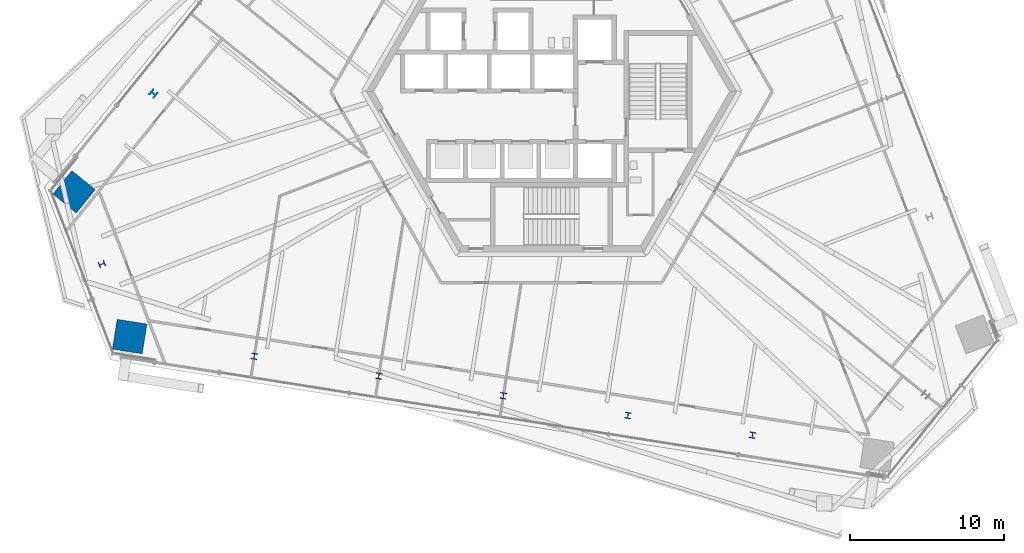
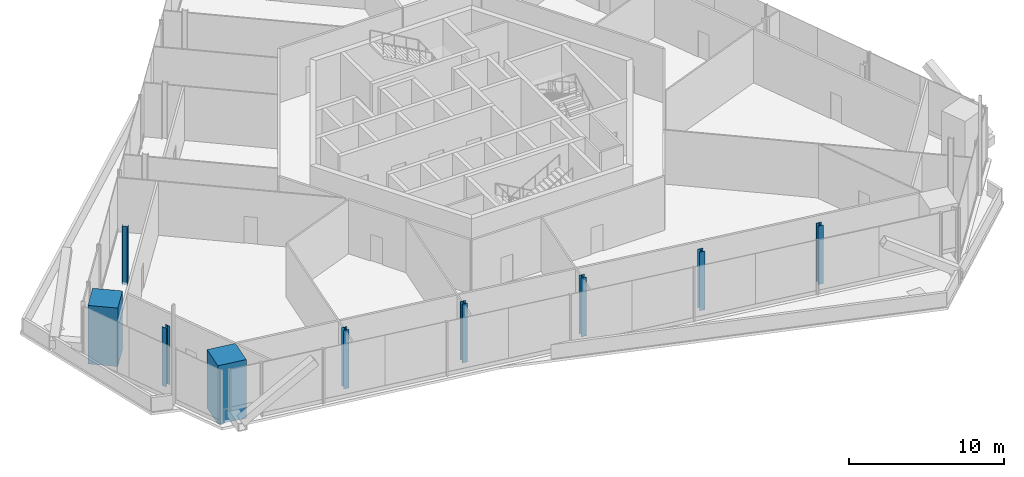
# One storey, part 1 of 22: 9 columns.
"""IFC4 building model written with IfcOpenShell, lengths in metres."""

import ifcopenshell
import ifcopenshell.guid

model = None  # the IFC model being written
_history = None  # IfcOwnerHistory: only IFC2X3 demands one
_inside = {}  # id of a spatial element -> (the spatial element, [elements in it])
_under = {}  # id of a project, library or spatial element -> (it, [spatial elements below it])
_declared = {}  # id of a project -> (the project, [libraries it declares])
_typed = {}  # id of a type object -> (the type object, [elements of that type])
_made_of = {}  # id of a material, layer set ... -> (it, [elements and type objects made of it])


def new_model(schema):
    """Start an empty IFC model of exactly this schema.

    Asked for "IFC4X3", IfcOpenShell would pick the latest addendum, in which some entities
    have other attributes; the version numbers below select the first issue.
    IFC2X3 requires an IfcOwnerHistory on every rooted entity: one is made here for all.
    """
    global model, _history
    if schema == "IFC4X3":
        model = ifcopenshell.file(schema_version=(4, 3, 0, 0))
    else:
        model = ifcopenshell.file(schema=schema)
    _inside.clear()
    _under.clear()
    _declared.clear()
    _typed.clear()
    _made_of.clear()
    _history = None
    if model.schema == "IFC2X3":
        org = make("IfcOrganization", Name="unknown")
        user = make(
            "IfcPersonAndOrganization",
            ThePerson=make("IfcPerson", FamilyName="unknown"),
            TheOrganization=org,
        )
        app = make(
            "IfcApplication",
            ApplicationDeveloper=org,
            Version="unknown",
            ApplicationFullName="unknown",
            ApplicationIdentifier="unknown",
        )
        _history = make(
            "IfcOwnerHistory",
            OwningUser=user,
            OwningApplication=app,
            ChangeAction="ADDED",
            CreationDate=0,
        )
    return model


def make(cls, **values):
    """One entity of the class cls with the attributes given. An attribute that is None is left unset."""
    return model.create_entity(
        cls, **{name: value for name, value in values.items() if value is not None}
    )


def rooted(cls, **values):
    """An entity with a GlobalId (a new one), such as an element, a storey or a relation."""
    return make(cls, GlobalId=ifcopenshell.guid.new(), OwnerHistory=_history, **values)


def si_unit(unit_type, name, prefix=None):
    """IfcSIUnit, for example si_unit("LENGTHUNIT", "METRE", prefix="MILLI")."""
    return make("IfcSIUnit", UnitType=unit_type, Prefix=prefix, Name=name)


def assignment(units):
    """IfcUnitAssignment: the units of a project."""
    return None if units is None else make("IfcUnitAssignment", Units=units)


def point(xyz):
    """IfcCartesianPoint."""
    return None if xyz is None else make("IfcCartesianPoint", Coordinates=xyz)


def direction(xyz):
    """IfcDirection."""
    return None if xyz is None else make("IfcDirection", DirectionRatios=xyz)


def frame(location, z_axis=None, x_axis=None):
    """IfcAxis2Placement3D, a coordinate frame: its origin and axes. An axis left out is left unset."""
    return make(
        "IfcAxis2Placement3D",
        Location=point(location),
        Axis=direction(z_axis),
        RefDirection=direction(x_axis),
    )


def frame_2d(location, x_axis=None):
    """IfcAxis2Placement2D, a coordinate frame in the plane: its origin and x axis."""
    return make(
        "IfcAxis2Placement2D", Location=point(location), RefDirection=direction(x_axis)
    )


def origin():
    """The frame at (0, 0, 0) with its axes left unset."""
    return frame((0.0, 0.0, 0.0))


def origin_2d():
    """The frame at (0, 0) in the plane with its x axis left unset."""
    return frame_2d((0.0, 0.0))


def place(relative_to, where):
    """IfcLocalPlacement: puts the frame where relative to a parent placement (None: the world)."""
    return make(
        "IfcLocalPlacement", PlacementRelTo=relative_to, RelativePlacement=where
    )


def context(
    kind, dimensions, precision=None, world=None, true_north=None, identifier=None
):
    """IfcGeometricRepresentationContext, for example the 3D "Model" context."""
    return make(
        "IfcGeometricRepresentationContext",
        ContextIdentifier=identifier,
        ContextType=kind,
        CoordinateSpaceDimension=dimensions,
        Precision=precision,
        WorldCoordinateSystem=world,
        TrueNorth=true_north,
    )


def subcontext(parent, identifier, kind, view, scale=None):
    """IfcGeometricRepresentationSubContext, for example "Body" below "Model"."""
    return make(
        "IfcGeometricRepresentationSubContext",
        ContextIdentifier=identifier,
        ContextType=kind,
        ParentContext=parent,
        TargetScale=scale,
        TargetView=view,
    )


def project(units=None, contexts=None):
    """IfcProject with its units and contexts."""
    return rooted(
        "IfcProject",
        Name="project",
        RepresentationContexts=contexts,
        UnitsInContext=assignment(units),
    )


def spatial(cls, under=None, at=None, **own):
    """A site, building, storey or space (cls), placed at a placement, below another one or the project."""
    s = rooted(cls, ObjectPlacement=at, **own)
    if under is not None:
        _under.setdefault(under.id(), (under, []))[1].append(s)
    return s


def profile(cls, at=None, kind="AREA", **sizes):
    """A parametric profile (cls). Its sizes go by their IFC names, for example OverallWidth=200.0."""
    return make(cls, ProfileType=kind, Position=at, **sizes)


def rectangle(**sizes):
    """IfcRectangleProfileDef."""
    return profile("IfcRectangleProfileDef", **sizes)


def i_section(**sizes):
    """IfcIShapeProfileDef."""
    return profile("IfcIShapeProfileDef", **sizes)


def extrude(swept, where, along, depth):
    """IfcExtrudedAreaSolid: the profile swept, set in the frame where, extruded along a direction by depth."""
    return make(
        "IfcExtrudedAreaSolid",
        SweptArea=swept,
        Position=where,
        ExtrudedDirection=direction(along),
        Depth=depth,
    )


def shape(context_of_items, identifier, shape_type, items):
    """IfcShapeRepresentation: the items that make up one representation, for example the "Body"."""
    return make(
        "IfcShapeRepresentation",
        ContextOfItems=context_of_items,
        RepresentationIdentifier=identifier,
        RepresentationType=shape_type,
        Items=items,
    )


def source(mapping_origin, context_of_items, identifier, shape_type, items):
    """IfcRepresentationMap: a shape defined once, which mapped items show again and again."""
    return make(
        "IfcRepresentationMap",
        MappingOrigin=mapping_origin,
        MappedRepresentation=shape(context_of_items, identifier, shape_type, items),
    )


def transform(
    local_origin,
    x_axis=None,
    y_axis=None,
    z_axis=None,
    scale=None,
    scale2=None,
    scale3=None,
    uniform=True,
):
    """IfcCartesianTransformationOperator3D, or its non-uniform kind. x_axis, y_axis, z_axis: its Axis1, 2, 3."""
    if uniform:
        return make(
            "IfcCartesianTransformationOperator3D",
            Axis1=direction(x_axis),
            Axis2=direction(y_axis),
            LocalOrigin=point(local_origin),
            Scale=scale,
            Axis3=direction(z_axis),
        )
    return make(
        "IfcCartesianTransformationOperator3DnonUniform",
        Axis1=direction(x_axis),
        Axis2=direction(y_axis),
        LocalOrigin=point(local_origin),
        Scale=scale,
        Axis3=direction(z_axis),
        Scale2=scale2,
        Scale3=scale3,
    )


def mapped(mapping_source, mapping_target):
    """IfcMappedItem: shows the shape of a source again, moved by a transform."""
    return make(
        "IfcMappedItem", MappingSource=mapping_source, MappingTarget=mapping_target
    )


def material(Name=None, Category=None):
    """IfcMaterial."""
    return make("IfcMaterial", Name=Name, Category=Category)


def material_profile(
    of_material, cross_section, Name=None, Category=None, Priority=None
):
    """IfcMaterialProfile: a cross section and its material."""
    return make(
        "IfcMaterialProfile",
        Name=Name,
        Material=of_material,
        Profile=cross_section,
        Priority=Priority,
        Category=Category,
    )


def profile_set(profiles, Name=None, composite=None):
    """IfcMaterialProfileSet."""
    return make(
        "IfcMaterialProfileSet",
        Name=Name,
        MaterialProfiles=profiles,
        CompositeProfile=composite,
    )


def made_of(thing, what):
    """Note that an element or type object is made of a material, layer set ...; save() writes the relation."""
    if what is not None:
        _made_of.setdefault(what.id(), (what, []))[1].append(thing)
    return thing


def type_object(cls, material=None, **own):
    """A type object (cls), such as IfcWallType, which elements share."""
    return made_of(rooted(cls, **own), material)


def element(
    cls,
    number,
    at=None,
    inside=None,
    cuts=None,
    type_object=None,
    material=None,
    context=None,
    identifier="Body",
    shape_type=None,
    held_by="IfcProductDefinitionShape",
    body=None,
    shapes=None,
    **own,
):
    """One element of the class cls, such as IfcWall. Its Tag is "e" and its number.

    at: its placement. inside: the storey or other place that contains it. cuts: it is an
    opening in that element (IfcRelVoidsElement). A single representation is given by context,
    identifier, shape_type and body (its items); several are given by shapes. held_by: the class
    of the entity that holds the representations. save() writes the other relations.
    """
    e = rooted(cls, Tag="e%d" % number, ObjectPlacement=at, **own)
    if body is not None:
        shapes = [shape(context, identifier, shape_type, body)]
    if shapes is not None:
        e.Representation = make(held_by, Representations=shapes)
    if inside is not None:
        _inside.setdefault(inside.id(), (inside, []))[1].append(e)
    if cuts is not None:
        rooted(
            "IfcRelVoidsElement", RelatingBuildingElement=cuts, RelatedOpeningElement=e
        )
    if type_object is not None:
        _typed.setdefault(type_object.id(), (type_object, []))[1].append(e)
    return made_of(e, material)


def aggregate(whole, parts):
    """IfcRelAggregates: a whole, such as a stair, and the parts it consists of."""
    return rooted("IfcRelAggregates", RelatingObject=whole, RelatedObjects=parts)


def save(model, path):
    """Write the relations noted so far, then the file.

    IfcRelAggregates (storeys below a building ...), IfcRelContainedInSpatialStructure (elements
    in a storey), IfcRelDefinesByType, IfcRelAssociatesMaterial and IfcRelDeclares: one each for
    every whole, place, type object, material and project.
    """
    for whole, parts in _under.values():
        aggregate(whole, parts)
    for where, things in _inside.values():
        rooted(
            "IfcRelContainedInSpatialStructure",
            RelatedElements=things,
            RelatingStructure=where,
        )
    for kind, things in _typed.values():
        rooted("IfcRelDefinesByType", RelatedObjects=things, RelatingType=kind)
    for what, things in _made_of.values():
        rooted("IfcRelAssociatesMaterial", RelatedObjects=things, RelatingMaterial=what)
    for by, libraries in _declared.values():
        rooted("IfcRelDeclares", RelatingContext=by, RelatedDefinitions=libraries)
    model.write(path)


model = new_model("IFC4")

# Units and contexts
model_context = context("Model", 3, precision=1e-05, world=origin(), true_north=direction((0.0, 1.0)))
body_context = subcontext(model_context, "Body", "Model", "MODEL_VIEW")
ifc_project = project(units=[si_unit("LENGTHUNIT", "METRE"), si_unit("AREAUNIT", "SQUARE_METRE"), si_unit("VOLUMEUNIT", "CUBIC_METRE"), si_unit("PLANEANGLEUNIT", "RADIAN"), si_unit("MASSUNIT", "GRAM", prefix="KILO")], contexts=[model_context])

# Site, building, storey
site_placement = place(None, origin())
site = spatial("IfcSite", under=ifc_project, at=site_placement, CompositionType="ELEMENT")
building_placement = place(site_placement, origin())
building = spatial("IfcBuilding", under=site, at=building_placement, Name="Triune Harvest Tower", CompositionType="ELEMENT")
storey_placement = place(building_placement, frame((0.0, 0.0, 138.10009765625)))
storey = spatial("IfcBuildingStorey", under=building, at=storey_placement, Name="L35", CompositionType="ELEMENT", Elevation=138.10009765625)

# Columns
ifc_material_1 = material(Name="Concrete 70 MPa", Category="concrete")
ifc_material_profile_1 = material_profile(ifc_material_1, rectangle(XDim=1.949951171875, YDim=1.949951171875, at=origin_2d()), Name="Composite 1950x1950")
ifc_profile_set_1 = profile_set([ifc_material_profile_1], Name="Concrete 70 MPa")
column_type_1 = type_object("IfcColumnType", Name="MC-4 Mega column Composite 1950x1950", PredefinedType="COLUMN", material=ifc_profile_set_1)
shared_shape_1 = source(origin(), body_context, "Body", "SweptSolid", [
    extrude(rectangle(XDim=1.949951171875, YDim=1.949951171875, at=origin_2d()), origin(), (0.0, 0.0, 1.0), 4.60009765625),
])
for number, where, z_axis, x_axis, name in (
    (1, (-30.947509765625, -6.4970703125, -0.2001953125), (0.0, 0.0, 1.0), (-0.629321747424, -0.777144863084, 0.0), "col/L35/M14"),
    (2, (-27.345703125, -15.879638671875, -0.2001953125), (0.0, 0.0, 1.0), (0.987688340595, -0.15643446504, 0.0), "col/L35/M16"),
):
    element("IfcColumn", number, at=place(storey_placement, frame(where, z_axis=z_axis, x_axis=x_axis)), inside=storey, type_object=column_type_1, Name=name, PredefinedType="COLUMN", context=body_context, shape_type="MappedRepresentation", body=[
        mapped(shared_shape_1, transform((0.0, 0.0, 0.0), scale=1.0)),
    ])
ifc_material_2 = material(Name="Steel ASTM A992 Gr 50", Category="steel")
ifc_material_profile_2 = material_profile(ifc_material_2, i_section(OverallWidth=0.373291015625, OverallDepth=0.373291015625, WebThickness=0.016357421875, FlangeThickness=0.026123046875, at=origin_2d()), Name="W14x132")
ifc_profile_set_2 = profile_set([ifc_material_profile_2], Name="Steel ASTM A992 Gr 50")
column_type_2 = type_object("IfcColumnType", Name="PC-4 Perimeter column W14x132", PredefinedType="COLUMN", material=ifc_profile_set_2)
shared_shape_2 = source(origin(), body_context, "Body", "SweptSolid", [
    extrude(i_section(OverallWidth=0.373291015625, OverallDepth=0.373291015625, WebThickness=0.016357421875, FlangeThickness=0.026123046875, at=origin_2d()), origin(), (0.0, 0.0, 1.0), 4.60009765625),
])
for number, where, z_axis, x_axis, name in (
    (3, (-25.802734375, -0.143798828125, -0.2001953125), (0.0, 0.0, 1.0), (-0.629321747424, -0.777144863084, 0.0), "col/L35/P13"),
    (4, (-29.146484375, -11.188232421875, -0.2001953125), (0.0, 0.0, 1.0), (0.35836632014, -0.933581051966, 0.0), "col/L35/P15"),
    (5, (-19.271484375, -17.158447265625, -0.2001953125), (0.0, 0.0, 1.0), (0.987688340595, -0.15643446504, 0.0), "col/L35/P17"),
    (6, (-11.197021484375, -18.437255859375, -0.2001953125), (0.0, 0.0, 1.0), (0.987688340595, -0.15643446504, 0.0), "col/L35/P18"),
    (7, (-3.122802734375, -19.716064453125, -0.2001953125), (0.0, 0.0, 1.0), (0.987688340595, -0.15643446504, 0.0), "col/L35/P19"),
    (8, (4.95166015625, -20.9951171875, -0.2001953125), (0.0, 0.0, 1.0), (0.987688340595, -0.15643446504, 0.0), "col/L35/P20"),
    (9, (13.02587890625, -22.27392578125, -0.2001953125), (0.0, 0.0, 1.0), (0.987688340595, -0.15643446504, 0.0), "col/L35/P21"),
):
    element("IfcColumn", number, at=place(storey_placement, frame(where, z_axis=z_axis, x_axis=x_axis)), inside=storey, type_object=column_type_2, Name=name, PredefinedType="COLUMN", context=body_context, shape_type="MappedRepresentation", body=[
        mapped(shared_shape_2, transform((0.0, 0.0, 0.0), scale=1.0)),
    ])

save(model, "model.ifc")
